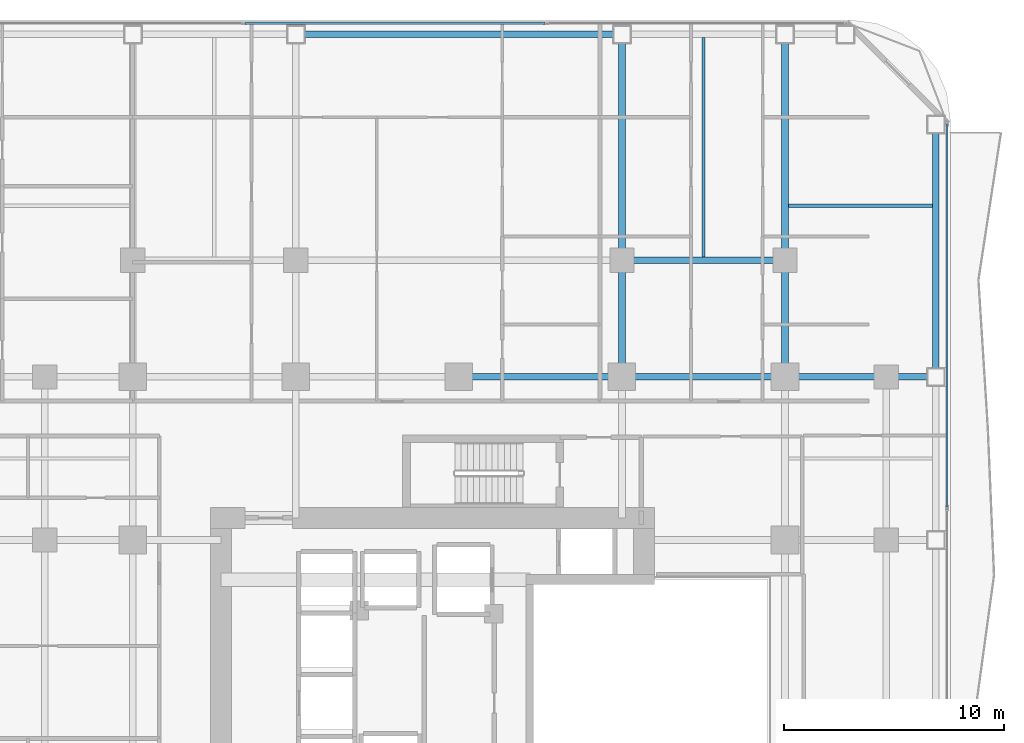
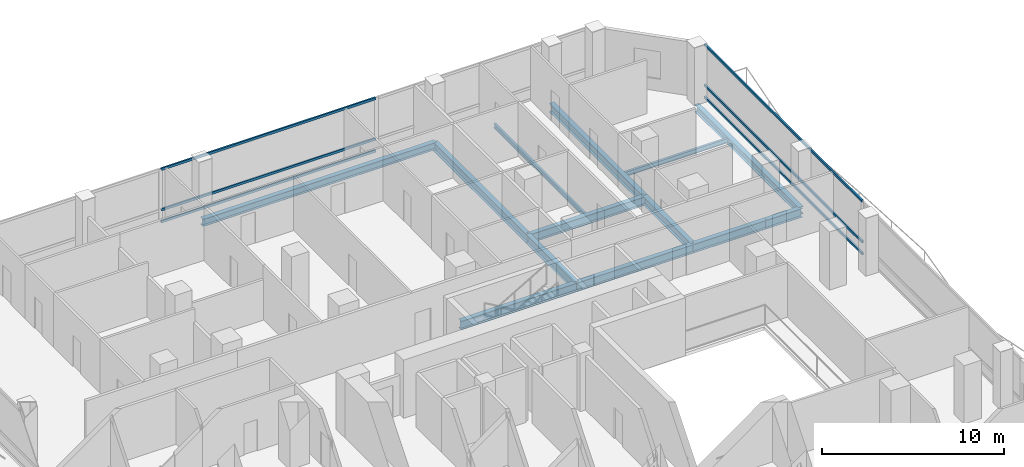
# One storey, part 16 of 28: 13 beams, 6 members, 2 elements without a shape of their own.
"""IFC4 building model written with IfcOpenShell, lengths in metres."""

from ifc_helpers import new_model, si_unit, direction, frame, origin, origin_2d, place, context, subcontext, project, spatial, hollow_rectangle, i_section, extrude, material, layer, layer_set, material_profile, profile_set, type_object, element, aggregate, save


model = new_model("IFC4")

# Units and contexts
model_context = context("Model", 3, precision=1e-05, world=origin(), true_north=direction((0.0, 1.0)))
body_context = subcontext(model_context, "Body", "Model", "MODEL_VIEW")
ifc_project = project(units=[si_unit("LENGTHUNIT", "METRE"), si_unit("AREAUNIT", "SQUARE_METRE"), si_unit("VOLUMEUNIT", "CUBIC_METRE"), si_unit("PLANEANGLEUNIT", "RADIAN"), si_unit("MASSUNIT", "GRAM", prefix="KILO")], contexts=[model_context])

# Site, building, storey
site_placement = place(None, origin())
site = spatial("IfcSite", under=ifc_project, at=site_placement, CompositionType="ELEMENT")
building_placement = place(site_placement, origin())
building = spatial("IfcBuilding", under=site, at=building_placement, Name="Khorvyn Point Tower", CompositionType="ELEMENT")
storey_placement = place(building_placement, frame((0.0, 0.0, 104.699951171875)))
storey = spatial("IfcBuildingStorey", under=building, at=storey_placement, Name="L26", CompositionType="ELEMENT", Elevation=104.699951171875)

# Curtain wall, members
ifc_material_1 = material(Name="Anodised aluminium 6063-T6 and laminated Low-E glass", Category="aluminium")
ifc_layer = layer(ifc_material_1, 0.18994140625)
ifc_layer_set = layer_set([ifc_layer], Name="Stick-Built Finned Residential Curtain Wall CW-SYS-02")
curtain_wall_type = type_object("IfcCurtainWallType", Name="Stick-Built Finned Residential Curtain Wall CW-SYS-02", PredefinedType="NOTDEFINED", material=ifc_layer_set)
curtain_wall_1_placement = place(storey_placement, origin())
curtain_wall_1 = element("IfcCurtainWall", 1, at=curtain_wall_1_placement, inside=storey, type_object=curtain_wall_type, Name="Curtain Wall", PredefinedType="NOTDEFINED")
ifc_material_2 = material(Name="Anodised aluminium 6063-T6", Category="aluminium")
ifc_material_profile_1 = material_profile(ifc_material_2, hollow_rectangle(XDim=0.10009765625, YDim=0.159912109375, WallThickness=0.00439453125, at=origin_2d()))
ifc_profile_set_1 = profile_set([ifc_material_profile_1], Name="Anodised aluminium 6063-T6 ALU-TRN-100x160")
member_type = type_object("IfcMemberType", Name="Anodised Aluminium 6063-T6 Transom ALU-TRN-100x160", PredefinedType="USERDEFINED", material=ifc_profile_set_1)
member_1_placement = place(storey_placement, frame((-9.699951171875, 30.85009765625, 0.050048828125), z_axis=(1.0, 0.0, 0.0), x_axis=(0.0, 1.0, 0.0)))
member_1 = element("IfcMember", 2, at=member_1_placement, type_object=member_type, Name="Transom", ObjectType="TRANSOM", PredefinedType="USERDEFINED", context=body_context, shape_type="SweptSolid", body=[
    extrude(hollow_rectangle(XDim=0.10009765625, YDim=0.159912109375, WallThickness=0.00439453125, at=origin_2d()), origin(), (0.0, 0.0, 1.0), 13.599853515625),
])
member_2_placement = place(storey_placement, frame((-9.699951171875, 30.85009765625, 0.85009765625), z_axis=(1.0, 0.0, 0.0), x_axis=(0.0, 1.0, 0.0)))
member_2 = element("IfcMember", 3, at=member_2_placement, type_object=member_type, Name="Transom", ObjectType="TRANSOM", PredefinedType="USERDEFINED", context=body_context, shape_type="SweptSolid", body=[
    extrude(hollow_rectangle(XDim=0.10009765625, YDim=0.159912109375, WallThickness=0.00439453125, at=origin_2d()), origin(), (0.0, 0.0, 1.0), 13.599853515625),
])
member_3_placement = place(storey_placement, frame((-9.699951171875, 30.85009765625, 3.570068359375), z_axis=(1.0, 0.0, 0.0), x_axis=(0.0, 1.0, 0.0)))
member_3 = element("IfcMember", 4, at=member_3_placement, type_object=member_type, Name="Transom", ObjectType="TRANSOM", PredefinedType="USERDEFINED", context=body_context, shape_type="SweptSolid", body=[
    extrude(hollow_rectangle(XDim=0.10009765625, YDim=0.159912109375, WallThickness=0.00439453125, at=origin_2d()), origin(), (0.0, 0.0, 1.0), 13.599853515625),
])
aggregate(curtain_wall_1, [member_1, member_2, member_3])

curtain_wall_2_placement = place(storey_placement, origin())
curtain_wall_2 = element("IfcCurtainWall", 5, at=curtain_wall_2_placement, inside=storey, type_object=curtain_wall_type, Name="Curtain Wall", PredefinedType="NOTDEFINED")
member_4_placement = place(storey_placement, frame((22.14990234375, 26.25, 0.050048828125), z_axis=(0.0, -1.0, 0.0), x_axis=(1.0, 0.0, 0.0)))
member_4 = element("IfcMember", 6, at=member_4_placement, type_object=member_type, Name="Transom", ObjectType="TRANSOM", PredefinedType="USERDEFINED", context=body_context, shape_type="SweptSolid", body=[
    extrude(hollow_rectangle(XDim=0.10009765625, YDim=0.159912109375, WallThickness=0.00439453125, at=origin_2d()), origin(), (0.0, 0.0, 1.0), 17.348388671875),
])
member_5_placement = place(storey_placement, frame((22.14990234375, 26.25, 0.85009765625), z_axis=(0.0, -1.0, 0.0), x_axis=(1.0, 0.0, 0.0)))
member_5 = element("IfcMember", 7, at=member_5_placement, type_object=member_type, Name="Transom", ObjectType="TRANSOM", PredefinedType="USERDEFINED", context=body_context, shape_type="SweptSolid", body=[
    extrude(hollow_rectangle(XDim=0.10009765625, YDim=0.159912109375, WallThickness=0.00439453125, at=origin_2d()), origin(), (0.0, 0.0, 1.0), 17.348388671875),
])
member_6_placement = place(storey_placement, frame((22.14990234375, 26.25, 3.570068359375), z_axis=(0.0, -1.0, 0.0), x_axis=(1.0, 0.0, 0.0)))
member_6 = element("IfcMember", 8, at=member_6_placement, type_object=member_type, Name="Transom", ObjectType="TRANSOM", PredefinedType="USERDEFINED", context=body_context, shape_type="SweptSolid", body=[
    extrude(hollow_rectangle(XDim=0.10009765625, YDim=0.159912109375, WallThickness=0.00439453125, at=origin_2d()), origin(), (0.0, 0.0, 1.0), 17.348388671875),
])
aggregate(curtain_wall_2, [member_4, member_5, member_6])

# Beams
ifc_material_3 = material(Name="Steel S355", Category="steel")
ifc_material_profile_2 = material_profile(ifc_material_3, i_section(OverallWidth=0.300048828125, OverallDepth=0.587890625, WebThickness=0.011962890625, FlangeThickness=0.02001953125, at=origin_2d()))
ifc_profile_set_2 = profile_set([ifc_material_profile_2], Name="Steel S355 H588x300x12x20")
beam_type_1 = type_object("IfcBeamType", Name="Steel S355 Beam H588x300x12x20", PredefinedType="BEAM", material=ifc_profile_set_2)
beam_1_placement = place(storey_placement, frame((0.0, 14.800048828125, -0.513916015625), z_axis=(1.0, 0.0, 0.0), x_axis=(0.0, 1.0, 0.0)))
element("IfcBeam", 9, at=beam_1_placement, inside=storey, type_object=beam_type_1, Name="Beam", PredefinedType="BEAM", context=body_context, shape_type="SweptSolid", body=[
    extrude(i_section(OverallWidth=0.300048828125, OverallDepth=0.587890625, WebThickness=0.011962890625, FlangeThickness=0.02001953125, at=origin_2d()), origin(), (0.0, 0.0, 1.0), 7.39990234375),
])
beam_2_placement = place(storey_placement, frame((7.39990234375, 14.800048828125, -0.513916015625), z_axis=(1.0, 0.0, 0.0), x_axis=(0.0, 1.0, 0.0)))
element("IfcBeam", 10, at=beam_2_placement, inside=storey, type_object=beam_type_1, Name="Beam", PredefinedType="BEAM", context=body_context, shape_type="SweptSolid", body=[
    extrude(i_section(OverallWidth=0.300048828125, OverallDepth=0.587890625, WebThickness=0.011962890625, FlangeThickness=0.02001953125, at=origin_2d()), origin(), (0.0, 0.0, 1.0), 7.400146484375),
])
beam_3_placement = place(storey_placement, frame((14.800048828125, 14.800048828125, -0.513916015625), z_axis=(1.0, 0.0, 0.0), x_axis=(0.0, 1.0, 0.0)))
element("IfcBeam", 11, at=beam_3_placement, inside=storey, type_object=beam_type_1, Name="Beam", PredefinedType="BEAM", context=body_context, shape_type="SweptSolid", body=[
    extrude(i_section(OverallWidth=0.300048828125, OverallDepth=0.587890625, WebThickness=0.011962890625, FlangeThickness=0.02001953125, at=origin_2d()), origin(), (0.0, 0.0, 1.0), 4.599853515625),
])
beam_4_placement = place(storey_placement, frame((19.39990234375, 14.800048828125, -0.513916015625), z_axis=(1.0, 0.0, 0.0), x_axis=(0.0, 1.0, 0.0)))
element("IfcBeam", 12, at=beam_4_placement, inside=storey, type_object=beam_type_1, Name="Beam", PredefinedType="BEAM", context=body_context, shape_type="SweptSolid", body=[
    extrude(i_section(OverallWidth=0.300048828125, OverallDepth=0.587890625, WebThickness=0.011962890625, FlangeThickness=0.02001953125, at=origin_2d()), origin(), (0.0, 0.0, 1.0), 2.25),
])
beam_5_placement = place(storey_placement, frame((7.39990234375, 20.10009765625, -0.513916015625), z_axis=(1.0, 0.0, 0.0), x_axis=(0.0, 1.0, 0.0)))
element("IfcBeam", 13, at=beam_5_placement, inside=storey, type_object=beam_type_1, Name="Beam", PredefinedType="BEAM", context=body_context, shape_type="SweptSolid", body=[
    extrude(i_section(OverallWidth=0.300048828125, OverallDepth=0.587890625, WebThickness=0.011962890625, FlangeThickness=0.02001953125, at=origin_2d()), origin(), (0.0, 0.0, 1.0), 7.400146484375),
])
beam_6_placement = place(storey_placement, frame((14.800048828125, 14.800048828125, -0.513916015625), z_axis=(0.0, 1.0, 0.0), x_axis=(-1.0, 0.0, 0.0)))
element("IfcBeam", 14, at=beam_6_placement, inside=storey, type_object=beam_type_1, Name="Beam", PredefinedType="BEAM", context=body_context, shape_type="SweptSolid", body=[
    extrude(i_section(OverallWidth=0.300048828125, OverallDepth=0.587890625, WebThickness=0.011962890625, FlangeThickness=0.02001953125, at=origin_2d()), origin(), (0.0, 0.0, 1.0), 5.300048828125),
])
beam_7_placement = place(storey_placement, frame((14.800048828125, 20.10009765625, -0.513916015625), z_axis=(0.0, 1.0, 0.0), x_axis=(-1.0, 0.0, 0.0)))
element("IfcBeam", 15, at=beam_7_placement, inside=storey, type_object=beam_type_1, Name="Beam", PredefinedType="BEAM", context=body_context, shape_type="SweptSolid", body=[
    extrude(i_section(OverallWidth=0.300048828125, OverallDepth=0.587890625, WebThickness=0.011962890625, FlangeThickness=0.02001953125, at=origin_2d()), origin(), (0.0, 0.0, 1.0), 10.25),
])
beam_8_placement = place(storey_placement, frame((7.39990234375, 14.800048828125, -0.513916015625), z_axis=(0.0, 1.0, 0.0), x_axis=(-1.0, 0.0, 0.0)))
element("IfcBeam", 16, at=beam_8_placement, inside=storey, type_object=beam_type_1, Name="Beam", PredefinedType="BEAM", context=body_context, shape_type="SweptSolid", body=[
    extrude(i_section(OverallWidth=0.300048828125, OverallDepth=0.587890625, WebThickness=0.011962890625, FlangeThickness=0.02001953125, at=origin_2d()), origin(), (0.0, 0.0, 1.0), 5.300048828125),
])
beam_9_placement = place(storey_placement, frame((7.39990234375, 20.10009765625, -0.513916015625), z_axis=(0.0, 1.0, 0.0), x_axis=(-1.0, 0.0, 0.0)))
element("IfcBeam", 17, at=beam_9_placement, inside=storey, type_object=beam_type_1, Name="Beam", PredefinedType="BEAM", context=body_context, shape_type="SweptSolid", body=[
    extrude(i_section(OverallWidth=0.300048828125, OverallDepth=0.587890625, WebThickness=0.011962890625, FlangeThickness=0.02001953125, at=origin_2d()), origin(), (0.0, 0.0, 1.0), 10.25),
])
ifc_material_profile_3 = material_profile(ifc_material_3, i_section(OverallWidth=0.14990234375, OverallDepth=0.300048828125, WebThickness=0.006591796875, FlangeThickness=0.009033203125, at=origin_2d()))
ifc_profile_set_3 = profile_set([ifc_material_profile_3], Name="Steel S355 H300x150x6.5x9")
beam_type_2 = type_object("IfcBeamType", Name="Steel S355 Joist H300x150x6.5x9", PredefinedType="JOIST", material=ifc_profile_set_3)
beam_10_placement = place(storey_placement, frame((11.10009765625, 20.25, -0.369873046875), z_axis=(0.0, 1.0, 0.0), x_axis=(-1.0, 0.0, 0.0)))
element("IfcBeam", 18, at=beam_10_placement, inside=storey, type_object=beam_type_2, Name="Beam", PredefinedType="JOIST", context=body_context, shape_type="SweptSolid", body=[
    extrude(i_section(OverallWidth=0.14990234375, OverallDepth=0.300048828125, WebThickness=0.006591796875, FlangeThickness=0.009033203125, at=origin_2d()), origin(), (0.0, 0.0, 1.0), 9.949951171875),
])
beam_11_placement = place(storey_placement, frame((14.949951171875, 22.574951171875, -0.369873046875), z_axis=(1.0, 0.0, 0.0), x_axis=(0.0, 1.0, 0.0)))
element("IfcBeam", 19, at=beam_11_placement, inside=storey, type_object=beam_type_2, Name="Beam", PredefinedType="JOIST", context=body_context, shape_type="SweptSolid", body=[
    extrude(i_section(OverallWidth=0.14990234375, OverallDepth=0.300048828125, WebThickness=0.006591796875, FlangeThickness=0.009033203125, at=origin_2d()), origin(), (0.0, 0.0, 1.0), 6.550048828125),
])
ifc_material_profile_4 = material_profile(ifc_material_3, i_section(OverallWidth=0.300048828125, OverallDepth=0.488037109375, WebThickness=0.010986328125, FlangeThickness=0.01806640625, at=origin_2d()))
ifc_profile_set_4 = profile_set([ifc_material_profile_4], Name="Steel S355 H488x300x11x18")
beam_type_3 = type_object("IfcBeamType", Name="Steel S355 Spandrel H488x300x11x18", PredefinedType="SPANDREL", material=ifc_profile_set_4)
beam_12_placement = place(storey_placement, frame((-7.39990234375, 30.35009765625, -0.4638671875), z_axis=(1.0, 0.0, 0.0), x_axis=(0.0, 1.0, 0.0)))
element("IfcBeam", 20, at=beam_12_placement, inside=storey, type_object=beam_type_3, Name="Beam", PredefinedType="SPANDREL", context=body_context, shape_type="SweptSolid", body=[
    extrude(i_section(OverallWidth=0.300048828125, OverallDepth=0.488037109375, WebThickness=0.010986328125, FlangeThickness=0.01806640625, at=origin_2d()), origin(), (0.0, 0.0, 1.0), 14.7998046875),
])
beam_13_placement = place(storey_placement, frame((21.64990234375, 14.800048828125, -0.4638671875), z_axis=(0.0, 1.0, 0.0), x_axis=(-1.0, 0.0, 0.0)))
element("IfcBeam", 21, at=beam_13_placement, inside=storey, type_object=beam_type_3, Name="Beam", PredefinedType="SPANDREL", context=body_context, shape_type="SweptSolid", body=[
    extrude(i_section(OverallWidth=0.300048828125, OverallDepth=0.488037109375, WebThickness=0.010986328125, FlangeThickness=0.01806640625, at=origin_2d()), origin(), (0.0, 0.0, 1.0), 11.449951171875),
])

save(model, "model.ifc")
